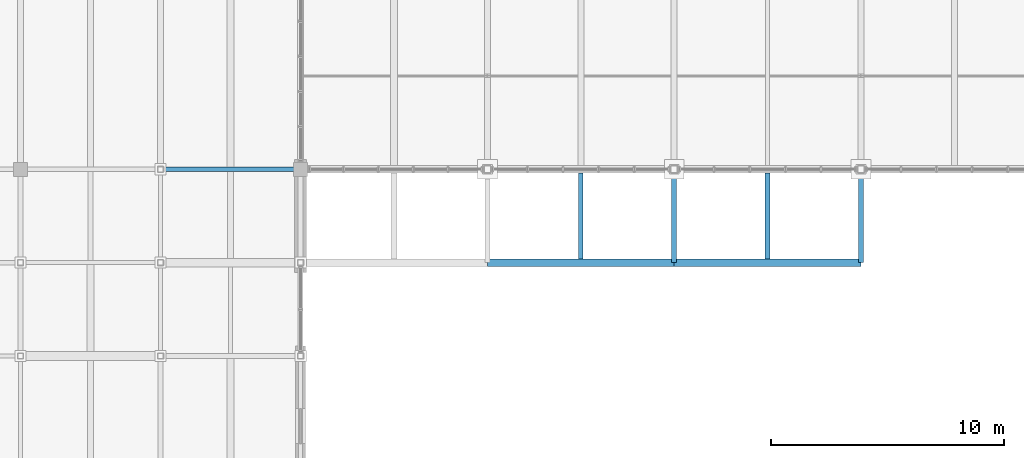
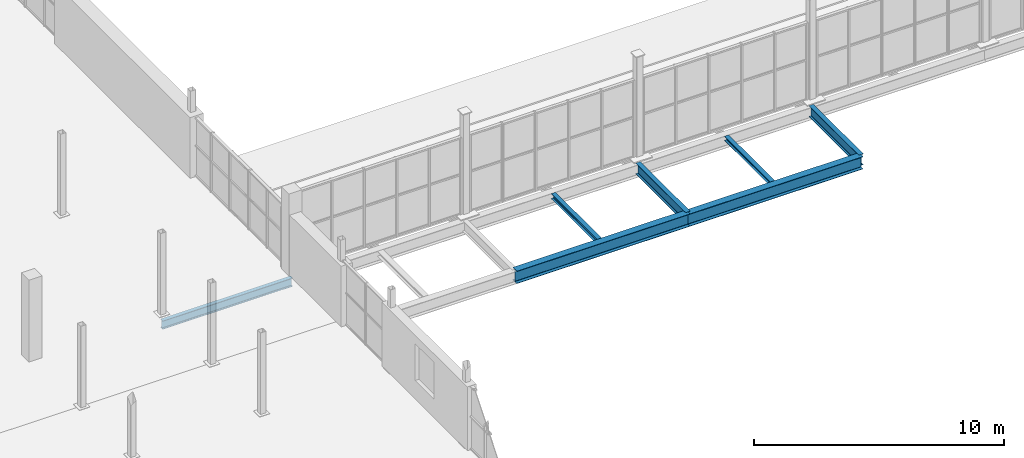
# One storey, part 32 of 96: 7 beams.
"""IFC4 building model written with IfcOpenShell, lengths in metres."""

from ifc_helpers import new_model, si_unit, direction, frame, origin, origin_2d, place, context, subcontext, project, spatial, i_section, extrude, material, material_profile, profile_set, type_object, element, save


model = new_model("IFC4")

# Units and contexts
model_context = context("Model", 3, precision=1e-05, world=origin(), true_north=direction((0.0, 1.0)))
body_context = subcontext(model_context, "Body", "Model", "MODEL_VIEW")
ifc_project = project(units=[si_unit("LENGTHUNIT", "METRE"), si_unit("AREAUNIT", "SQUARE_METRE"), si_unit("VOLUMEUNIT", "CUBIC_METRE"), si_unit("PLANEANGLEUNIT", "RADIAN"), si_unit("MASSUNIT", "GRAM", prefix="KILO")], contexts=[model_context])

# Site, building, storey
site_placement = place(None, origin())
site = spatial("IfcSite", under=ifc_project, at=site_placement, CompositionType="ELEMENT")
building_placement = place(site_placement, origin())
building = spatial("IfcBuilding", under=site, at=building_placement, Name="Verrall Gate Interchange", CompositionType="ELEMENT")
storey_placement = place(building_placement, frame((0.0, 0.0, 11.39990234375)))
storey = spatial("IfcBuildingStorey", under=building, at=storey_placement, Name="L03", CompositionType="ELEMENT", Elevation=11.39990234375)

# Beams
ifc_material_1 = material(Name="Structural Steel CSA G40.21 350WT Cat 4", Category="steel")
ifc_material_profile_1 = material_profile(ifc_material_1, i_section(OverallWidth=0.323974609375, OverallDepth=0.611083984375, WebThickness=0.0126953125, FlangeThickness=0.01904296875, FilletRadius=0.014892578125, at=origin_2d()), Name="W610x155")
ifc_profile_set_1 = profile_set([ifc_material_profile_1], Name="Structural Steel CSA G40.21 350WT Cat 4")
beam_type_1 = type_object("IfcBeamType", Name="B-08 Structural Beam W610x155", PredefinedType="BEAM", material=ifc_profile_set_1)
for number, where, z_axis, x_axis, name in (
    (1, (44.0, 44.0, -0.635498046875), (1.0, 0.0, 0.0), (0.0, 1.0, 0.0), "L03 Girder BM-L03-2092 (B-08)"),
    (2, (52.0, 44.0, -0.635498046875), (1.0, 0.0, 0.0), (0.0, 1.0, 0.0), "L03 Girder BM-L03-2093 (B-08)"),
):
    element("IfcBeam", number, at=place(storey_placement, frame(where, z_axis=z_axis, x_axis=x_axis)), inside=storey, type_object=beam_type_1, Name=name, PredefinedType="BEAM", context=body_context, shape_type="SweptSolid", body=[
        extrude(i_section(OverallWidth=0.323974609375, OverallDepth=0.611083984375, WebThickness=0.0126953125, FlangeThickness=0.01904296875, FilletRadius=0.014892578125, at=origin_2d()), origin(), (0.0, 0.0, 1.0), 8.0),
    ])
ifc_material_2 = material(Name="Structural Steel CSA G40.21 350W", Category="steel")
ifc_material_profile_2 = material_profile(ifc_material_2, i_section(OverallWidth=0.2109375, OverallDepth=0.5390625, WebThickness=0.01171875, FlangeThickness=0.018798828125, FilletRadius=0.013916015625, at=origin_2d()), Name="W530x109")
ifc_profile_set_2 = profile_set([ifc_material_profile_2], Name="Structural Steel CSA G40.21 350W")
beam_type_2 = type_object("IfcBeamType", Name="B-10 Structural Beam W530x109", PredefinedType="BEAM", material=ifc_profile_set_2)
for number, where, z_axis, x_axis, name in (
    (3, (52.0, 44.0, -0.599365234375), (0.0, 1.0, 0.0), (-1.0, 0.0, 0.0), "L03 Girder BM-L03-2280 (B-10)"),
    (4, (60.0, 44.0, -0.599365234375), (0.0, 1.0, 0.0), (-1.0, 0.0, 0.0), "L03 Girder BM-L03-2285 (B-10)"),
):
    element("IfcBeam", number, at=place(storey_placement, frame(where, z_axis=z_axis, x_axis=x_axis)), inside=storey, type_object=beam_type_2, Name=name, PredefinedType="BEAM", context=body_context, shape_type="SweptSolid", body=[
        extrude(i_section(OverallWidth=0.2109375, OverallDepth=0.5390625, WebThickness=0.01171875, FlangeThickness=0.018798828125, FilletRadius=0.013916015625, at=origin_2d()), origin(), (0.0, 0.0, 1.0), 4.0),
    ])
ifc_material_3 = material(Name="Structural Steel CSA G40.21 350W", Category="steel")
ifc_material_profile_3 = material_profile(ifc_material_3, i_section(OverallWidth=0.178955078125, OverallDepth=0.409912109375, WebThickness=0.0087890625, FlangeThickness=0.014404296875, FilletRadius=0.011962890625, at=origin_2d()), Name="W410x67")
ifc_profile_set_3 = profile_set([ifc_material_profile_3], Name="Structural Steel CSA G40.21 350W")
beam_type_3 = type_object("IfcBeamType", Name="B-12 Structural Beam W410x67", PredefinedType="BEAM", material=ifc_profile_set_3)
beam_1_placement = place(storey_placement, frame((30.0, 48.0, -0.534912109375), z_axis=(1.0, 0.0, 0.0), x_axis=(0.0, 1.0, 0.0)))
element("IfcBeam", 5, at=beam_1_placement, inside=storey, type_object=beam_type_3, Name="L03 Girder BM-L03-2109 (B-12)", PredefinedType="BEAM", context=body_context, shape_type="SweptSolid", body=[
    extrude(i_section(OverallWidth=0.178955078125, OverallDepth=0.409912109375, WebThickness=0.0087890625, FlangeThickness=0.014404296875, FilletRadius=0.011962890625, at=origin_2d()), origin(), (0.0, 0.0, 1.0), 6.0),
])
ifc_material_4 = material(Name="Structural Steel CSA G40.21 350W", Category="steel")
ifc_material_profile_4 = material_profile(ifc_material_4, i_section(OverallWidth=0.201904296875, OverallDepth=0.2470703125, WebThickness=0.00732421875, FlangeThickness=0.010986328125, FilletRadius=0.010986328125, at=origin_2d()), Name="W250x49")
ifc_profile_set_4 = profile_set([ifc_material_profile_4], Name="Structural Steel CSA G40.21 350W")
beam_type_4 = type_object("IfcBeamType", Name="J-06 Floor Joist W250x49", PredefinedType="JOIST", material=ifc_profile_set_4)
beam_2_placement = place(storey_placement, frame((48.0, 44.162109375, -0.453369140625), z_axis=(0.0, 1.0, 0.0), x_axis=(-1.0, 0.0, 0.0)))
element("IfcBeam", 6, at=beam_2_placement, inside=storey, type_object=beam_type_4, Name="L03 Secondary Floor Joist JST-L03-2469", PredefinedType="JOIST", context=body_context, shape_type="SweptSolid", body=[
    extrude(i_section(OverallWidth=0.201904296875, OverallDepth=0.2470703125, WebThickness=0.00732421875, FlangeThickness=0.010986328125, FilletRadius=0.010986328125, at=origin_2d()), origin(), (0.0, 0.0, 1.0), 3.67578125),
])
ifc_material_5 = material(Name="Structural Steel CSA G40.21 350W", Category="steel")
ifc_material_profile_5 = material_profile(ifc_material_5, i_section(OverallWidth=0.202880859375, OverallDepth=0.202880859375, WebThickness=0.007080078125, FlangeThickness=0.010986328125, FilletRadius=0.010009765625, at=origin_2d()), Name="W200x46")
ifc_profile_set_5 = profile_set([ifc_material_profile_5], Name="Structural Steel CSA G40.21 350W")
beam_type_5 = type_object("IfcBeamType", Name="J-07 Floor Joist W200x46", PredefinedType="JOIST", material=ifc_profile_set_5)
beam_3_placement = place(storey_placement, frame((56.0, 44.162109375, -0.431396484375), z_axis=(0.0, 1.0, 0.0), x_axis=(-1.0, 0.0, 0.0)))
element("IfcBeam", 7, at=beam_3_placement, inside=storey, type_object=beam_type_5, Name="L03 Secondary Floor Joist JST-L03-2470", PredefinedType="JOIST", context=body_context, shape_type="SweptSolid", body=[
    extrude(i_section(OverallWidth=0.202880859375, OverallDepth=0.202880859375, WebThickness=0.007080078125, FlangeThickness=0.010986328125, FilletRadius=0.010009765625, at=origin_2d()), origin(), (0.0, 0.0, 1.0), 3.67578125),
])

save(model, "model.ifc")
